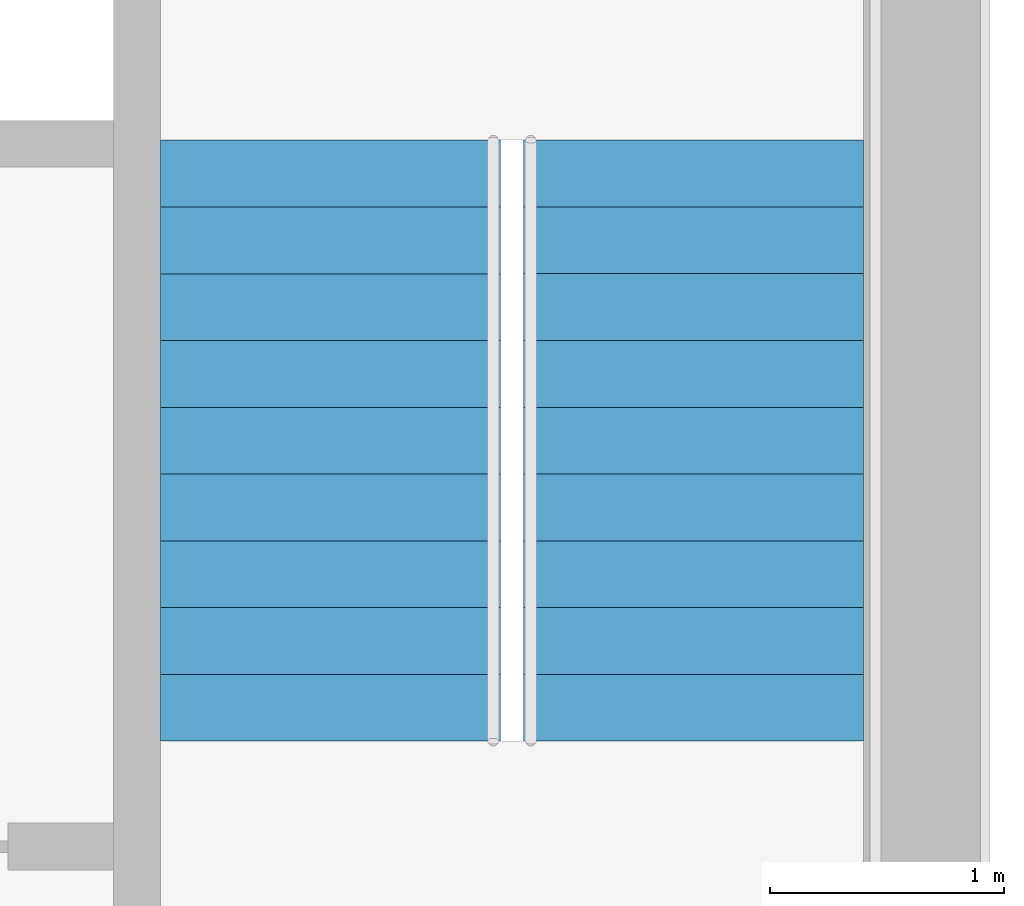
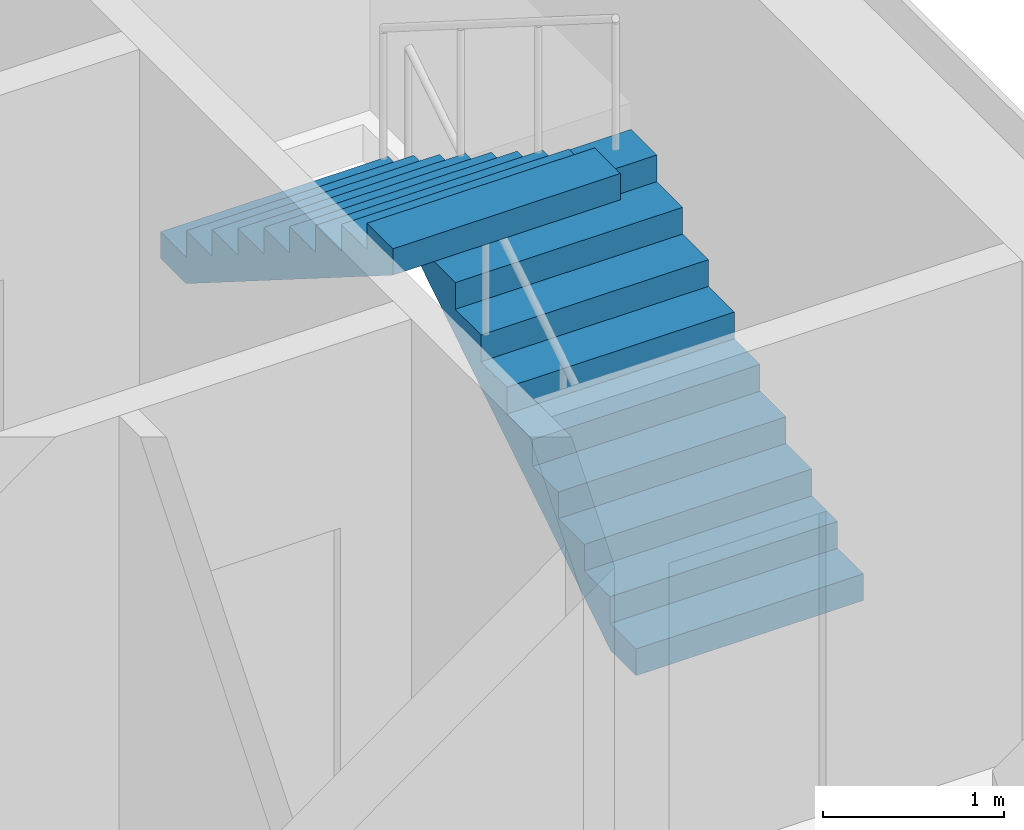
# One storey, part 39 of 40: 2 stair flights, 1 element without a shape of its own.
"""IFC4 building model written with IfcOpenShell, lengths in metres."""

from ifc_helpers import new_model, si_unit, direction, frame, origin, place, context, subcontext, project, spatial, polyline, outline, extrude, material, type_object, element, aggregate, save


model = new_model("IFC4")

# Units and contexts
model_context = context("Model", 3, precision=1e-05, world=origin(), true_north=direction((0.0, 1.0)))
body_context = subcontext(model_context, "Body", "Model", "MODEL_VIEW")
ifc_project = project(units=[si_unit("LENGTHUNIT", "METRE"), si_unit("AREAUNIT", "SQUARE_METRE"), si_unit("VOLUMEUNIT", "CUBIC_METRE"), si_unit("PLANEANGLEUNIT", "RADIAN"), si_unit("MASSUNIT", "GRAM", prefix="KILO")], contexts=[model_context])

# Site, building, storey
site_placement = place(None, origin())
site = spatial("IfcSite", under=ifc_project, at=site_placement, CompositionType="ELEMENT")
building_placement = place(site_placement, origin())
building = spatial("IfcBuilding", under=site, at=building_placement, Name="Altepetl Exchange Towers", CompositionType="ELEMENT")
storey_placement = place(building_placement, frame((0.0, 0.0, 195.60009765625)))
storey = spatial("IfcBuildingStorey", under=building, at=storey_placement, Name="L49", CompositionType="ELEMENT", Elevation=195.60009765625)

# Stair, stair flights
ifc_material = material(Name="Concrete C40/50", Category="concrete")
stair_type = type_object("IfcStairType", Name="Exit stair 1450 flights dogleg", PredefinedType="HALF_TURN_STAIR", material=ifc_material)
stair_placement = place(storey_placement, origin())
stair = element("IfcStair", 1, at=stair_placement, inside=storey, type_object=stair_type, Name="Exit stair 2", PredefinedType="HALF_TURN_STAIR")
stair_flight_type = type_object("IfcStairFlightType", Name="Stair flight 1450 wide", PredefinedType="STRAIGHT", material=ifc_material)
stair_flight_1_placement = place(storey_placement, frame((115.77490234375, 43.550048828125, 0.0), z_axis=(0.0, 0.0, 1.0), x_axis=(0.0, 1.0, 0.0)))
stair_flight_1 = element("IfcStairFlight", 2, at=stair_flight_1_placement, type_object=stair_flight_type, Name="ST-B2f flight 1", NumberOfRisers=10, NumberOfTreads=9, PredefinedType="STRAIGHT", RiserHeight=0.18, TreadLength=0.285, context=body_context, shape_type="SweptSolid", body=[
    extrude(outline(polyline([(0.0, 0.0), (0.0, 0.179931640625), (0.284912109375, 0.179931640625), (0.284912109375, 0.360107421875), (0.570068359375, 0.360107421875), (0.570068359375, 0.5400390625), (0.85498046875, 0.5400390625), (0.85498046875, 0.719970703125), (1.139892578125, 0.719970703125), (1.139892578125, 0.89990234375), (1.425048828125, 0.89990234375), (1.425048828125, 1.080078125), (1.7099609375, 1.080078125), (1.7099609375, 1.260009765625), (1.9951171875, 1.260009765625), (1.9951171875, 1.43994140625), (2.280029296875, 1.43994140625), (2.280029296875, 1.6201171875), (2.56494140625, 1.6201171875), (2.56494140625, 1.800048828125), (2.56494140625, 1.442626953125), (0.28076171875, 0.0), (0.0, 0.0)])), frame((0.0, 0.72509765625, 0.0), z_axis=(0.0, -1.0, 0.0), x_axis=(1.0, 0.0, 0.0)), (0.0, 0.0, 1.0), 1.449951171875),
])
stair_flight_2_placement = place(storey_placement, frame((114.22509765625, 46.114990234375, 1.7998046875), z_axis=(0.0, 0.0, 1.0), x_axis=(0.0, -1.0, 0.0)))
stair_flight_2 = element("IfcStairFlight", 3, at=stair_flight_2_placement, type_object=stair_flight_type, Name="ST-B2f flight 2", NumberOfRisers=10, NumberOfTreads=9, PredefinedType="STRAIGHT", RiserHeight=0.18, TreadLength=0.285, context=body_context, shape_type="SweptSolid", body=[
    extrude(outline(polyline([(0.0, 0.0), (0.0, 0.179931640625), (0.284912109375, 0.179931640625), (0.284912109375, 0.360107421875), (0.570068359375, 0.360107421875), (0.570068359375, 0.5400390625), (0.85498046875, 0.5400390625), (0.85498046875, 0.719970703125), (1.139892578125, 0.719970703125), (1.139892578125, 0.89990234375), (1.425048828125, 0.89990234375), (1.425048828125, 1.080078125), (1.7099609375, 1.080078125), (1.7099609375, 1.260009765625), (1.9951171875, 1.260009765625), (1.9951171875, 1.43994140625), (2.280029296875, 1.43994140625), (2.280029296875, 1.6201171875), (2.56494140625, 1.6201171875), (2.56494140625, 1.800048828125), (2.56494140625, 1.442626953125), (0.28076171875, 0.0), (0.0, 0.0)])), frame((0.0, 0.72509765625, 0.0), z_axis=(0.0, -1.0, 0.0), x_axis=(1.0, 0.0, 0.0)), (0.0, 0.0, 1.0), 1.449951171875),
])
aggregate(stair, [stair_flight_1, stair_flight_2])

save(model, "model.ifc")
